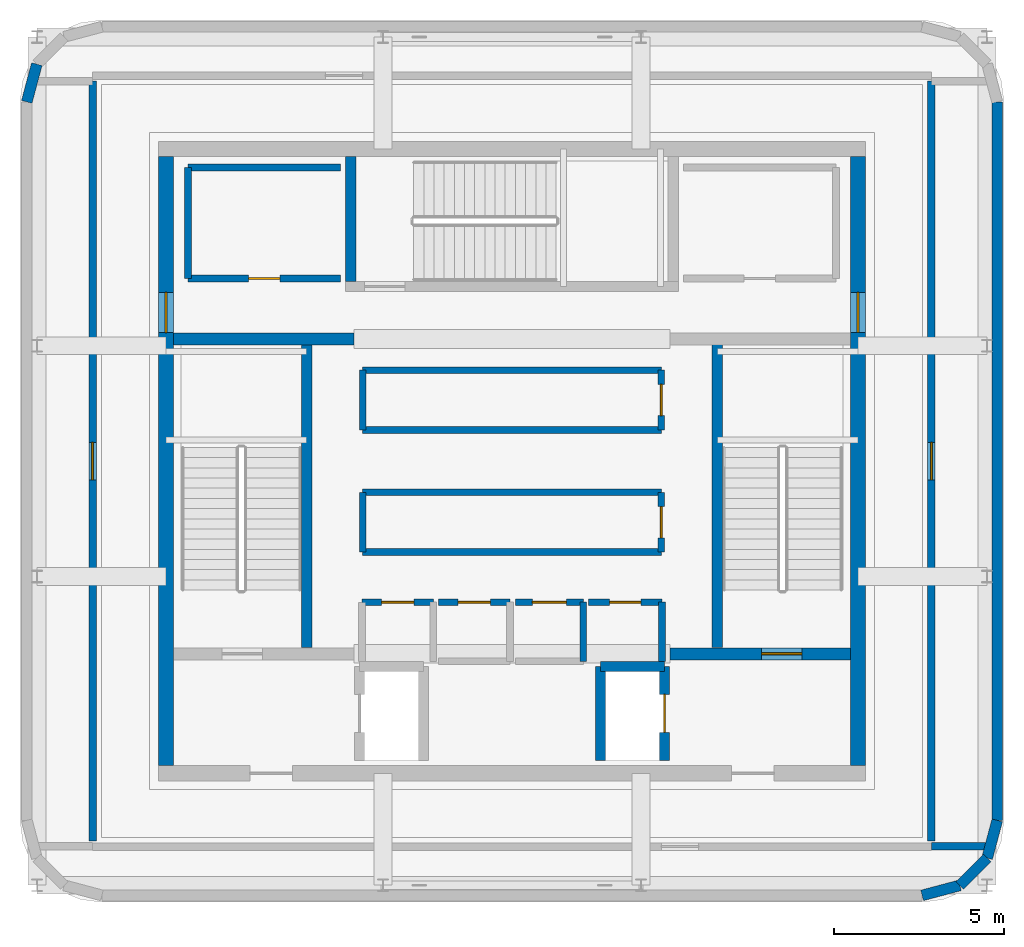
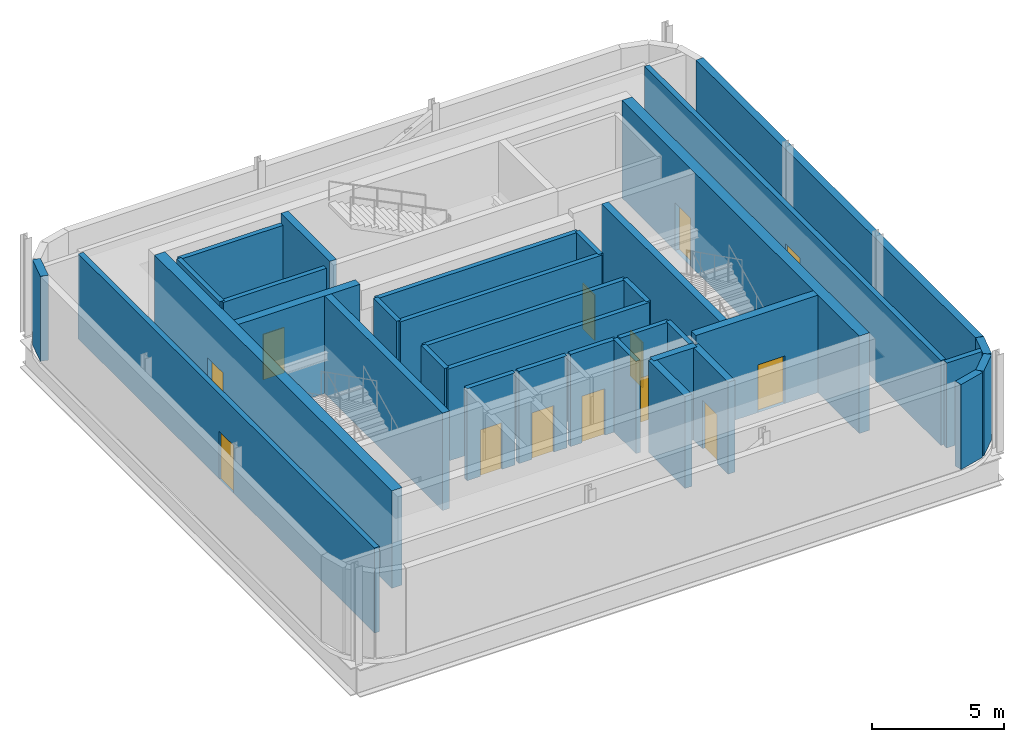
# One storey, part 2 of 4: 35 walls, 13 doors, 13 openings.
"""IFC4 building model written with IfcOpenShell, lengths in metres."""

from ifc_helpers import new_model, si_unit, direction, frame, frame_2d, origin, place, context, subcontext, project, spatial, rectangle, extrude, material, layer, layer_set, type_object, element, fill, save


model = new_model("IFC4")

# Units and contexts
model_context = context("Model", 3, precision=1e-05, world=origin(), true_north=direction((0.0, 1.0)))
body_context = subcontext(model_context, "Body", "Model", "MODEL_VIEW")
ifc_project = project(units=[si_unit("LENGTHUNIT", "METRE"), si_unit("AREAUNIT", "SQUARE_METRE"), si_unit("VOLUMEUNIT", "CUBIC_METRE"), si_unit("PLANEANGLEUNIT", "RADIAN"), si_unit("MASSUNIT", "GRAM", prefix="KILO")], contexts=[model_context])

# Site, building, storey
site_placement = place(None, origin())
site = spatial("IfcSite", under=ifc_project, at=site_placement, CompositionType="ELEMENT")
building_placement = place(site_placement, origin())
building = spatial("IfcBuilding", under=site, at=building_placement, Name="Punatoya Terracotta Tower", CompositionType="ELEMENT")
storey_placement = place(building_placement, frame((0.0, 0.0, 366.300048828125)))
storey = spatial("IfcBuildingStorey", under=building, at=storey_placement, Name="L86", CompositionType="ELEMENT", Elevation=366.300048828125)

# Wall, opening, door
ifc_material_1 = material(Name="Concrete C50/60", Category="concrete")
ifc_layer_1 = layer(ifc_material_1, 0.449951171875)
ifc_layer_set_1 = layer_set([ifc_layer_1], Name="Concrete C50/60")
wall_type_1 = type_object("IfcWallType", Name="WL-COR-450", PredefinedType="SHEAR", material=ifc_layer_set_1)
wall_1_placement = place(storey_placement, frame((-10.199951171875, -8.97509765625, 0.0), z_axis=(0.0, 0.0, 1.0), x_axis=(0.0, 1.0, 0.0)))
wall_1 = element("IfcWall", 1, at=wall_1_placement, inside=storey, type_object=wall_type_1, Name="L86 Core Shear Wall W", PredefinedType="SHEAR", context=body_context, shape_type="SweptSolid", body=[
    extrude(rectangle(XDim=17.9501953125, YDim=0.449951171875, at=frame_2d((8.97509765625, 0.0))), origin(), (0.0, 0.0, 1.0), 4.5),
])
opening_1_placement = place(wall_1_placement, frame((12.764892578125, 0.0, 0.0)))
opening_1 = element("IfcOpeningElement", 2, at=opening_1_placement, cuts=wall_1, Name="Opening SD-01", PredefinedType="OPENING", context=body_context, shape_type="SweptSolid", body=[
    extrude(rectangle(XDim=1.179931640625, YDim=2.199951171875, at=frame_2d((0.58984375, 1.10009765625))), frame((0.0, 0.23486328125, 0.0), z_axis=(0.0, -1.0, 0.0), x_axis=(1.0, 0.0, 0.0)), (0.0, 0.0, 1.0), 0.469970703125),
])
ifc_material_2 = material(Name="Galvanised Steel Pressurized Stair Fire Door", Category="steel")
door_type_1 = type_object("IfcDoorType", Name="DR-STR-1180", OperationType="NOTDEFINED", PredefinedType="DOOR", material=ifc_material_2)
door_1_placement = place(opening_1_placement, origin())
door_1 = element("IfcDoor", 3, at=door_1_placement, inside=storey, type_object=door_type_1, Name="L86 Central Lift Lobby West Fire Door", OperationType="SINGLE_SWING_LEFT", OverallHeight=2.199951171875, OverallWidth=1.179931640625, PredefinedType="DOOR", context=body_context, shape_type="SweptSolid", body=[
    extrude(rectangle(XDim=1.179931640625, YDim=2.199951171875, at=frame_2d((0.58984375, 1.10009765625))), frame((0.0, 0.02490234375, 0.0), z_axis=(0.0, -1.0, 0.0), x_axis=(1.0, 0.0, 0.0)), (0.0, 0.0, 1.0), 0.050048828125),
])
fill(opening_1, door_1)

wall_2_placement = place(storey_placement, frame((10.199951171875, 8.97509765625, 0.0), z_axis=(0.0, 0.0, 1.0), x_axis=(0.0, -1.0, 0.0)))
wall_2 = element("IfcWall", 4, at=wall_2_placement, inside=storey, type_object=wall_type_1, Name="L86 Core Shear Wall E", PredefinedType="SHEAR", context=body_context, shape_type="SweptSolid", body=[
    extrude(rectangle(XDim=17.9501953125, YDim=0.449951171875, at=frame_2d((8.97509765625, 0.0))), origin(), (0.0, 0.0, 1.0), 4.5),
])
opening_2_placement = place(wall_2_placement, frame((4.0048828125, 0.0, 0.0)))
opening_2 = element("IfcOpeningElement", 5, at=opening_2_placement, cuts=wall_2, Name="Opening SD-01", PredefinedType="OPENING", context=body_context, shape_type="SweptSolid", body=[
    extrude(rectangle(XDim=1.179931640625, YDim=2.199951171875, at=frame_2d((0.58984375, 1.10009765625))), frame((0.0, 0.23486328125, 0.0), z_axis=(0.0, -1.0, 0.0), x_axis=(1.0, 0.0, 0.0)), (0.0, 0.0, 1.0), 0.469970703125),
])
door_2_placement = place(opening_2_placement, origin())
door_2 = element("IfcDoor", 6, at=door_2_placement, inside=storey, type_object=door_type_1, Name="L86 Central Lift Lobby East Fire Door", OperationType="SINGLE_SWING_RIGHT", OverallHeight=2.199951171875, OverallWidth=1.179931640625, PredefinedType="DOOR", context=body_context, shape_type="SweptSolid", body=[
    extrude(rectangle(XDim=1.179931640625, YDim=2.199951171875, at=frame_2d((0.58984375, 1.10009765625))), frame((0.0, 0.02490234375, 0.0), z_axis=(0.0, -1.0, 0.0), x_axis=(1.0, 0.0, 0.0)), (0.0, 0.0, 1.0), 0.050048828125),
])
fill(opening_2, door_2)

# Walls
ifc_material_3 = material(Name="Precast concrete C40/50", Category="concrete")
ifc_layer_2 = layer(ifc_material_3, 0.320068359375)
ifc_layer_set_2 = layer_set([ifc_layer_2], Name="Precast concrete C40/50")
wall_type_2 = type_object("IfcWallType", Name="WL-EXT-320", PredefinedType="SOLIDWALL", material=ifc_layer_set_2)
wall_3_placement = place(storey_placement, frame((12.0869140625, -12.800048828125, 0.0), z_axis=(0.0, 0.0, 1.0), x_axis=(0.966336954372, 0.25727979053, 0.0)))
element("IfcWall", 7, at=wall_3_placement, inside=storey, type_object=wall_type_2, Name="L86 Rounded Terracotta Corner Pier 02", PredefinedType="SOLIDWALL", context=body_context, shape_type="SweptSolid", body=[
    extrude(rectangle(XDim=1.151123046875, YDim=0.320068359375, at=frame_2d((0.57568359375, 0.0))), origin(), (0.0, 0.0, 1.0), 3.924072265625),
])
wall_4_placement = place(storey_placement, frame((13.19921875, -12.50390625, 0.0), z_axis=(0.0, 0.0, 1.0), x_axis=(0.707106781187, 0.707106781187, 0.0)))
element("IfcWall", 8, at=wall_4_placement, inside=storey, type_object=wall_type_2, Name="L86 Rounded Terracotta Corner Pier 03", PredefinedType="SOLIDWALL", context=body_context, shape_type="SweptSolid", body=[
    extrude(rectangle(XDim=1.137939453125, YDim=0.320068359375, at=frame_2d((0.56884765625, 0.0))), origin(), (0.0, 0.0, 1.0), 3.924072265625),
])
wall_5_placement = place(storey_placement, frame((14.00390625, -11.69921875, 0.0), z_axis=(0.0, 0.0, 1.0), x_axis=(0.25727979053, 0.966336954372, 0.0)))
element("IfcWall", 9, at=wall_5_placement, inside=storey, type_object=wall_type_2, Name="L86 Rounded Terracotta Corner Pier 04", PredefinedType="SOLIDWALL", context=body_context, shape_type="SweptSolid", body=[
    extrude(rectangle(XDim=1.151123046875, YDim=0.320068359375, at=frame_2d((0.57568359375, 0.0))), origin(), (0.0, 0.0, 1.0), 3.924072265625),
])
wall_6_placement = place(storey_placement, frame((14.300048828125, -10.5869140625, 0.0), z_axis=(0.0, 0.0, 1.0), x_axis=(0.0, 1.0, 0.0)))
element("IfcWall", 10, at=wall_6_placement, inside=storey, type_object=wall_type_2, Name="L86 Terracotta Louvre Plant Enclosure E", PredefinedType="SOLIDWALL", context=body_context, shape_type="SweptSolid", body=[
    extrude(rectangle(XDim=21.173828125, YDim=0.320068359375, at=frame_2d((10.5869140625, 0.0))), origin(), (0.0, 0.0, 1.0), 3.924072265625),
])
wall_7_placement = place(storey_placement, frame((-14.00390625, 11.69921875, 0.0), z_axis=(0.0, 0.0, 1.0), x_axis=(-0.25727979053, -0.966336954372, 0.0)))
element("IfcWall", 11, at=wall_7_placement, inside=storey, type_object=wall_type_2, Name="L86 Rounded Terracotta Corner Pier 12", PredefinedType="SOLIDWALL", context=body_context, shape_type="SweptSolid", body=[
    extrude(rectangle(XDim=1.151123046875, YDim=0.320068359375, at=frame_2d((0.57568359375, 0.0))), origin(), (0.0, 0.0, 1.0), 3.924072265625),
])
ifc_material_4 = material(Name="Concrete C40/50", Category="concrete")
ifc_layer_3 = layer(ifc_material_4, 0.219970703125)
ifc_layer_set_3 = layer_set([ifc_layer_3], Name="Concrete C40/50")
wall_type_3 = type_object("IfcWallType", Name="WL-FIR-220", PredefinedType="SOLIDWALL", material=ifc_layer_set_3)
wall_8_placement = place(storey_placement, frame((12.360107421875, -11.35009765625, 0.0), z_axis=(0.0, 0.0, 1.0), x_axis=(1.0, 0.0, 0.0)))
element("IfcWall", 12, at=wall_8_placement, inside=storey, type_object=wall_type_3, Name="L86 Crown South Heat-Rejection and Cooling-Tower Plant Partition 28", PredefinedType="SOLIDWALL", context=body_context, shape_type="SweptSolid", body=[
    extrude(rectangle(XDim=1.7666015625, YDim=0.219970703125, at=frame_2d((0.88330078125, 0.0))), origin(), (0.0, 0.0, 1.0), 3.924072265625),
])

# Wall, opening, door
wall_9_placement = place(storey_placement, frame((-12.360107421875, 11.199951171875, 0.0), z_axis=(0.0, 0.0, 1.0), x_axis=(0.0, -1.0, 0.0)))
wall_9 = element("IfcWall", 13, at=wall_9_placement, inside=storey, type_object=wall_type_3, Name="L86 Crown West Smoke-Extract and Fan Plant Room Partition 30", PredefinedType="SOLIDWALL", context=body_context, shape_type="SweptSolid", body=[
    extrude(rectangle(XDim=22.39990234375, YDim=0.219970703125, at=frame_2d((11.199951171875, 0.0))), origin(), (0.0, 0.0, 1.0), 3.924072265625),
])
opening_3_placement = place(wall_9_placement, frame((10.64990234375, 0.0, 0.0)))
opening_3 = element("IfcOpeningElement", 14, at=opening_3_placement, cuts=wall_9, Name="Opening FD-P1", PredefinedType="OPENING", context=body_context, shape_type="SweptSolid", body=[
    extrude(rectangle(XDim=1.10009765625, YDim=2.199951171875, at=frame_2d((0.550048828125, 1.10009765625))), frame((0.0, 0.119873046875, 0.0), z_axis=(0.0, -1.0, 0.0), x_axis=(1.0, 0.0, 0.0)), (0.0, 0.0, 1.0), 0.239990234375),
])
ifc_material_5 = material(Name="Galvanised Steel Plant Fire Door", Category="steel")
door_type_2 = type_object("IfcDoorType", Name="DR-PLT-1100", OperationType="NOTDEFINED", PredefinedType="DOOR", material=ifc_material_5)
door_3_placement = place(opening_3_placement, origin())
door_3 = element("IfcDoor", 15, at=door_3_placement, inside=storey, type_object=door_type_2, Name="L86 Crown West Smoke-Extract and Fan Plant Room Fire Door", OperationType="SINGLE_SWING_RIGHT", OverallHeight=2.199951171875, OverallWidth=1.10009765625, PredefinedType="DOOR", context=body_context, shape_type="SweptSolid", body=[
    extrude(rectangle(XDim=1.10009765625, YDim=2.199951171875, at=frame_2d((0.550048828125, 1.10009765625))), frame((0.0, 0.02490234375, 0.0), z_axis=(0.0, -1.0, 0.0), x_axis=(1.0, 0.0, 0.0)), (0.0, 0.0, 1.0), 0.050048828125),
])
fill(opening_3, door_3)

wall_10_placement = place(storey_placement, frame((12.360107421875, -11.199951171875, 0.0), z_axis=(0.0, 0.0, 1.0), x_axis=(0.0, 1.0, 0.0)))
wall_10 = element("IfcWall", 16, at=wall_10_placement, inside=storey, type_object=wall_type_3, Name="L86 Crown East Lift Machine and BMS Control Plant Partition 31", PredefinedType="SOLIDWALL", context=body_context, shape_type="SweptSolid", body=[
    extrude(rectangle(XDim=22.39990234375, YDim=0.219970703125, at=frame_2d((11.199951171875, 0.0))), origin(), (0.0, 0.0, 1.0), 3.924072265625),
])
opening_4_placement = place(wall_10_placement, frame((10.64990234375, 0.0, 0.0)))
opening_4 = element("IfcOpeningElement", 17, at=opening_4_placement, cuts=wall_10, Name="Opening FD-P1", PredefinedType="OPENING", context=body_context, shape_type="SweptSolid", body=[
    extrude(rectangle(XDim=1.10009765625, YDim=2.199951171875, at=frame_2d((0.550048828125, 1.10009765625))), frame((0.0, 0.119873046875, 0.0), z_axis=(0.0, -1.0, 0.0), x_axis=(1.0, 0.0, 0.0)), (0.0, 0.0, 1.0), 0.239990234375),
])
door_4_placement = place(opening_4_placement, origin())
door_4 = element("IfcDoor", 18, at=door_4_placement, inside=storey, type_object=door_type_2, Name="L86 Crown East Lift Machine and BMS Control Plant Fire Door", OperationType="SINGLE_SWING_LEFT", OverallHeight=2.199951171875, OverallWidth=1.10009765625, PredefinedType="DOOR", context=body_context, shape_type="SweptSolid", body=[
    extrude(rectangle(XDim=1.10009765625, YDim=2.199951171875, at=frame_2d((0.550048828125, 1.10009765625))), frame((0.0, 0.02490234375, 0.0), z_axis=(0.0, -1.0, 0.0), x_axis=(1.0, 0.0, 0.0)), (0.0, 0.0, 1.0), 0.050048828125),
])
fill(opening_4, door_4)

ifc_layer_4 = layer(ifc_material_4, 0.199951171875)
ifc_layer_set_4 = layer_set([ifc_layer_4], Name="Concrete C40/50")
wall_type_4 = type_object("IfcWallType", Name="WL-INT-200", PredefinedType="SOLIDWALL", material=ifc_layer_set_4)
wall_11_placement = place(storey_placement, frame((-2.320068359375, -4.159912109375, 0.0), z_axis=(0.0, 0.0, 1.0), x_axis=(-1.0, 0.0, 0.0)))
wall_11 = element("IfcWall", 19, at=wall_11_placement, inside=storey, type_object=wall_type_4, Name="L86 Staff Male Washroom Partition 02", PredefinedType="SOLIDWALL", context=body_context, shape_type="SweptSolid", body=[
    extrude(rectangle(XDim=2.099853515625, YDim=0.199951171875, at=frame_2d((1.0498046875, 0.0))), origin(), (0.0, 0.0, 1.0), 4.25),
])
opening_5_placement = place(wall_11_placement, frame((0.574951171875, 0.0, 0.0)))
opening_5 = element("IfcOpeningElement", 20, at=opening_5_placement, cuts=wall_11, Name="Opening WD-01", PredefinedType="OPENING", context=body_context, shape_type="SweptSolid", body=[
    extrude(rectangle(XDim=0.949951171875, YDim=2.14990234375, at=frame_2d((0.47509765625, 1.074951171875))), frame((0.0, 0.10986328125, 0.0), z_axis=(0.0, -1.0, 0.0), x_axis=(1.0, 0.0, 0.0)), (0.0, 0.0, 1.0), 0.219970703125),
])
ifc_material_6 = material(Name="Moisture-Resistant Laminate Timber Leaf", Category="wood")
door_type_3 = type_object("IfcDoorType", Name="DR-WC-950", OperationType="NOTDEFINED", PredefinedType="DOOR", material=ifc_material_6)
door_5_placement = place(opening_5_placement, origin())
door_5 = element("IfcDoor", 21, at=door_5_placement, inside=storey, type_object=door_type_3, Name="L86 Staff Male Washroom Door", OperationType="SINGLE_SWING_LEFT", OverallHeight=2.14990234375, OverallWidth=0.949951171875, PredefinedType="DOOR", context=body_context, shape_type="SweptSolid", body=[
    extrude(rectangle(XDim=0.949951171875, YDim=2.14990234375, at=frame_2d((0.47509765625, 1.074951171875))), frame((0.0, 0.02490234375, 0.0), z_axis=(0.0, -1.0, 0.0), x_axis=(1.0, 0.0, 0.0)), (0.0, 0.0, 1.0), 0.050048828125),
])
fill(opening_5, door_5)

wall_12_placement = place(storey_placement, frame((-0.06005859375, -4.159912109375, 0.0), z_axis=(0.0, 0.0, 1.0), x_axis=(-1.0, 0.0, 0.0)))
wall_12 = element("IfcWall", 22, at=wall_12_placement, inside=storey, type_object=wall_type_4, Name="L86 Staff Female Washroom Partition 05", PredefinedType="SOLIDWALL", context=body_context, shape_type="SweptSolid", body=[
    extrude(rectangle(XDim=2.099853515625, YDim=0.199951171875, at=frame_2d((1.0498046875, 0.0))), origin(), (0.0, 0.0, 1.0), 4.25),
])
opening_6_placement = place(wall_12_placement, frame((0.574951171875, 0.0, 0.0)))
opening_6 = element("IfcOpeningElement", 23, at=opening_6_placement, cuts=wall_12, Name="Opening WD-01", PredefinedType="OPENING", context=body_context, shape_type="SweptSolid", body=[
    extrude(rectangle(XDim=0.949951171875, YDim=2.14990234375, at=frame_2d((0.47509765625, 1.074951171875))), frame((0.0, 0.10986328125, 0.0), z_axis=(0.0, -1.0, 0.0), x_axis=(1.0, 0.0, 0.0)), (0.0, 0.0, 1.0), 0.219970703125),
])
door_6_placement = place(opening_6_placement, origin())
door_6 = element("IfcDoor", 24, at=door_6_placement, inside=storey, type_object=door_type_3, Name="L86 Staff Female Washroom Door", OperationType="SINGLE_SWING_RIGHT", OverallHeight=2.14990234375, OverallWidth=0.949951171875, PredefinedType="DOOR", context=body_context, shape_type="SweptSolid", body=[
    extrude(rectangle(XDim=0.949951171875, YDim=2.14990234375, at=frame_2d((0.47509765625, 1.074951171875))), frame((0.0, 0.02490234375, 0.0), z_axis=(0.0, -1.0, 0.0), x_axis=(1.0, 0.0, 0.0)), (0.0, 0.0, 1.0), 0.050048828125),
])
fill(opening_6, door_6)

# Wall
wall_13_placement = place(storey_placement, frame((2.10009765625, -5.89990234375, 0.0), z_axis=(0.0, 0.0, 1.0), x_axis=(0.0, 1.0, 0.0)))
element("IfcWall", 25, at=wall_13_placement, inside=storey, type_object=wall_type_4, Name="L86 Accessible Universal Washroom Partition 07", PredefinedType="SOLIDWALL", context=body_context, shape_type="SweptSolid", body=[
    extrude(rectangle(XDim=1.739990234375, YDim=0.199951171875, at=frame_2d((0.8701171875, 0.0))), origin(), (0.0, 0.0, 1.0), 4.25),
])

# Wall, opening, door
wall_14_placement = place(storey_placement, frame((2.10009765625, -4.159912109375, 0.0), z_axis=(0.0, 0.0, 1.0), x_axis=(-1.0, 0.0, 0.0)))
wall_14 = element("IfcWall", 26, at=wall_14_placement, inside=storey, type_object=wall_type_4, Name="L86 Accessible Universal Washroom Partition 08", PredefinedType="SOLIDWALL", context=body_context, shape_type="SweptSolid", body=[
    extrude(rectangle(XDim=2.0, YDim=0.199951171875, at=frame_2d((1.0, 0.0))), origin(), (0.0, 0.0, 1.0), 4.25),
])
opening_7_placement = place(wall_14_placement, frame((0.5, 0.0, 0.0)))
opening_7 = element("IfcOpeningElement", 27, at=opening_7_placement, cuts=wall_14, Name="Opening AWD-1", PredefinedType="OPENING", context=body_context, shape_type="SweptSolid", body=[
    extrude(rectangle(XDim=1.0, YDim=2.14990234375, at=frame_2d((0.5, 1.074951171875))), frame((0.0, 0.10986328125, 0.0), z_axis=(0.0, -1.0, 0.0), x_axis=(1.0, 0.0, 0.0)), (0.0, 0.0, 1.0), 0.219970703125),
])
ifc_material_7 = material(Name="Bengal Teak Accessible WC Leaf")
door_type_4 = type_object("IfcDoorType", Name="DR-ACC-1000", OperationType="NOTDEFINED", PredefinedType="DOOR", material=ifc_material_7)
door_7_placement = place(opening_7_placement, origin())
door_7 = element("IfcDoor", 28, at=door_7_placement, inside=storey, type_object=door_type_4, Name="L86 Accessible Universal Washroom Door", OperationType="SINGLE_SWING_LEFT", OverallHeight=2.14990234375, OverallWidth=1.0, PredefinedType="DOOR", context=body_context, shape_type="SweptSolid", body=[
    extrude(rectangle(XDim=1.0, YDim=2.14990234375, at=frame_2d((0.5, 1.074951171875))), frame((0.0, 0.02490234375, 0.0), z_axis=(0.0, -1.0, 0.0), x_axis=(1.0, 0.0, 0.0)), (0.0, 0.0, 1.0), 0.050048828125),
])
fill(opening_7, door_7)

# Wall
wall_15_placement = place(storey_placement, frame((4.419921875, -5.89990234375, 0.0), z_axis=(0.0, 0.0, 1.0), x_axis=(0.0, 1.0, 0.0)))
element("IfcWall", 29, at=wall_15_placement, inside=storey, type_object=wall_type_4, Name="L86 Core Electrical Switchgear Room Partition 10", PredefinedType="SOLIDWALL", context=body_context, shape_type="SweptSolid", body=[
    extrude(rectangle(XDim=1.739990234375, YDim=0.199951171875, at=frame_2d((0.8701171875, 0.0))), origin(), (0.0, 0.0, 1.0), 4.25),
])

# Wall, opening, door
wall_16_placement = place(storey_placement, frame((4.419921875, -4.159912109375, 0.0), z_axis=(0.0, 0.0, 1.0), x_axis=(-1.0, 0.0, 0.0)))
wall_16 = element("IfcWall", 30, at=wall_16_placement, inside=storey, type_object=wall_type_4, Name="L86 Core Electrical Switchgear Room Partition 11", PredefinedType="SOLIDWALL", context=body_context, shape_type="SweptSolid", body=[
    extrude(rectangle(XDim=2.159912109375, YDim=0.199951171875, at=frame_2d((1.080078125, 0.0))), origin(), (0.0, 0.0, 1.0), 4.25),
])
opening_8_placement = place(wall_16_placement, frame((0.6201171875, 0.0, 0.0)))
opening_8 = element("IfcOpeningElement", 31, at=opening_8_placement, cuts=wall_16, Name="Opening FD-R1", PredefinedType="OPENING", context=body_context, shape_type="SweptSolid", body=[
    extrude(rectangle(XDim=0.919921875, YDim=2.10009765625, at=frame_2d((0.4599609375, 1.050048828125))), frame((0.0, 0.10986328125, 0.0), z_axis=(0.0, -1.0, 0.0), x_axis=(1.0, 0.0, 0.0)), (0.0, 0.0, 1.0), 0.219970703125),
])
ifc_material_8 = material(Name="Galvanised Steel Riser Fire Access Door", Category="steel")
door_type_5 = type_object("IfcDoorType", Name="DR-RSR-920", OperationType="NOTDEFINED", PredefinedType="DOOR", material=ifc_material_8)
door_8_placement = place(opening_8_placement, origin())
door_8 = element("IfcDoor", 32, at=door_8_placement, inside=storey, type_object=door_type_5, Name="L86 Core Electrical Switchgear Room Fire Door", OperationType="SINGLE_SWING_RIGHT", OverallHeight=2.10009765625, OverallWidth=0.919921875, PredefinedType="DOOR", context=body_context, shape_type="SweptSolid", body=[
    extrude(rectangle(XDim=0.919921875, YDim=2.10009765625, at=frame_2d((0.4599609375, 1.050048828125))), frame((0.0, 0.02490234375, 0.0), z_axis=(0.0, -1.0, 0.0), x_axis=(1.0, 0.0, 0.0)), (0.0, 0.0, 1.0), 0.050048828125),
])
fill(opening_8, door_8)

wall_17_placement = place(storey_placement, frame((4.39990234375, -2.679931640625, 0.0), z_axis=(0.0, 0.0, 1.0), x_axis=(0.0, 1.0, 0.0)))
wall_17 = element("IfcWall", 33, at=wall_17_placement, inside=storey, type_object=wall_type_4, Name="L86 Crown Emergency Power Switchroom Partition 12", PredefinedType="SOLIDWALL", context=body_context, shape_type="SweptSolid", body=[
    extrude(rectangle(XDim=1.760009765625, YDim=0.199951171875, at=frame_2d((0.8798828125, 0.0))), origin(), (0.0, 0.0, 1.0), 4.25),
])
opening_9_placement = place(wall_17_placement, frame((0.419921875, 0.0, 0.0)))
opening_9 = element("IfcOpeningElement", 34, at=opening_9_placement, cuts=wall_17, Name="Opening FD-R1", PredefinedType="OPENING", context=body_context, shape_type="SweptSolid", body=[
    extrude(rectangle(XDim=0.919921875, YDim=2.10009765625, at=frame_2d((0.4599609375, 1.050048828125))), frame((0.0, 0.10986328125, 0.0), z_axis=(0.0, -1.0, 0.0), x_axis=(1.0, 0.0, 0.0)), (0.0, 0.0, 1.0), 0.219970703125),
])
door_9_placement = place(opening_9_placement, origin())
door_9 = element("IfcDoor", 35, at=door_9_placement, inside=storey, type_object=door_type_5, Name="L86 Crown Emergency Power Switchroom Fire Door", OperationType="SINGLE_SWING_LEFT", OverallHeight=2.10009765625, OverallWidth=0.919921875, PredefinedType="DOOR", context=body_context, shape_type="SweptSolid", body=[
    extrude(rectangle(XDim=0.919921875, YDim=2.10009765625, at=frame_2d((0.4599609375, 1.050048828125))), frame((0.0, 0.02490234375, 0.0), z_axis=(0.0, -1.0, 0.0), x_axis=(1.0, 0.0, 0.0)), (0.0, 0.0, 1.0), 0.050048828125),
])
fill(opening_9, door_9)

# Walls
wall_18_placement = place(storey_placement, frame((4.39990234375, -0.919921875, 0.0), z_axis=(0.0, 0.0, 1.0), x_axis=(-1.0, 0.0, 0.0)))
element("IfcWall", 36, at=wall_18_placement, inside=storey, type_object=wall_type_4, Name="L86 Crown Emergency Power Switchroom Partition 13", PredefinedType="SOLIDWALL", context=body_context, shape_type="SweptSolid", body=[
    extrude(rectangle(XDim=8.7998046875, YDim=0.199951171875, at=frame_2d((4.39990234375, 0.0))), origin(), (0.0, 0.0, 1.0), 4.25),
])
wall_19_placement = place(storey_placement, frame((-4.39990234375, -0.919921875, 0.0), z_axis=(0.0, 0.0, 1.0), x_axis=(0.0, -1.0, 0.0)))
element("IfcWall", 37, at=wall_19_placement, inside=storey, type_object=wall_type_4, Name="L86 Crown Emergency Power Switchroom Partition 14", PredefinedType="SOLIDWALL", context=body_context, shape_type="SweptSolid", body=[
    extrude(rectangle(XDim=1.760009765625, YDim=0.199951171875, at=frame_2d((0.8798828125, 0.0))), origin(), (0.0, 0.0, 1.0), 4.25),
])
wall_20_placement = place(storey_placement, frame((-4.39990234375, -2.679931640625, 0.0), z_axis=(0.0, 0.0, 1.0), x_axis=(1.0, 0.0, 0.0)))
element("IfcWall", 38, at=wall_20_placement, inside=storey, type_object=wall_type_4, Name="L86 Crown Emergency Power Switchroom Partition 15", PredefinedType="SOLIDWALL", context=body_context, shape_type="SweptSolid", body=[
    extrude(rectangle(XDim=8.7998046875, YDim=0.199951171875, at=frame_2d((4.39990234375, 0.0))), origin(), (0.0, 0.0, 1.0), 4.25),
])

# Wall, opening, door
wall_21_placement = place(storey_placement, frame((4.39990234375, 0.919921875, 0.0), z_axis=(0.0, 0.0, 1.0), x_axis=(0.0, 1.0, 0.0)))
wall_21 = element("IfcWall", 39, at=wall_21_placement, inside=storey, type_object=wall_type_4, Name="L86 Crown Stair Pressurization Fan Room Partition 16", PredefinedType="SOLIDWALL", context=body_context, shape_type="SweptSolid", body=[
    extrude(rectangle(XDim=1.760009765625, YDim=0.199951171875, at=frame_2d((0.8798828125, 0.0))), origin(), (0.0, 0.0, 1.0), 4.25),
])
opening_10_placement = place(wall_21_placement, frame((0.419921875, 0.0, 0.0)))
opening_10 = element("IfcOpeningElement", 40, at=opening_10_placement, cuts=wall_21, Name="Opening FD-R1", PredefinedType="OPENING", context=body_context, shape_type="SweptSolid", body=[
    extrude(rectangle(XDim=0.919921875, YDim=2.10009765625, at=frame_2d((0.4599609375, 1.050048828125))), frame((0.0, 0.10986328125, 0.0), z_axis=(0.0, -1.0, 0.0), x_axis=(1.0, 0.0, 0.0)), (0.0, 0.0, 1.0), 0.219970703125),
])
door_10_placement = place(opening_10_placement, origin())
door_10 = element("IfcDoor", 41, at=door_10_placement, inside=storey, type_object=door_type_5, Name="L86 Crown Stair Pressurization Fan Room Fire Door", OperationType="SINGLE_SWING_RIGHT", OverallHeight=2.10009765625, OverallWidth=0.919921875, PredefinedType="DOOR", context=body_context, shape_type="SweptSolid", body=[
    extrude(rectangle(XDim=0.919921875, YDim=2.10009765625, at=frame_2d((0.4599609375, 1.050048828125))), frame((0.0, 0.02490234375, 0.0), z_axis=(0.0, -1.0, 0.0), x_axis=(1.0, 0.0, 0.0)), (0.0, 0.0, 1.0), 0.050048828125),
])
fill(opening_10, door_10)

# Walls
wall_22_placement = place(storey_placement, frame((4.39990234375, 2.679931640625, 0.0), z_axis=(0.0, 0.0, 1.0), x_axis=(-1.0, 0.0, 0.0)))
element("IfcWall", 42, at=wall_22_placement, inside=storey, type_object=wall_type_4, Name="L86 Crown Stair Pressurization Fan Room Partition 17", PredefinedType="SOLIDWALL", context=body_context, shape_type="SweptSolid", body=[
    extrude(rectangle(XDim=8.7998046875, YDim=0.199951171875, at=frame_2d((4.39990234375, 0.0))), origin(), (0.0, 0.0, 1.0), 4.25),
])
wall_23_placement = place(storey_placement, frame((-4.39990234375, 2.679931640625, 0.0), z_axis=(0.0, 0.0, 1.0), x_axis=(0.0, -1.0, 0.0)))
element("IfcWall", 43, at=wall_23_placement, inside=storey, type_object=wall_type_4, Name="L86 Crown Stair Pressurization Fan Room Partition 18", PredefinedType="SOLIDWALL", context=body_context, shape_type="SweptSolid", body=[
    extrude(rectangle(XDim=1.760009765625, YDim=0.199951171875, at=frame_2d((0.8798828125, 0.0))), origin(), (0.0, 0.0, 1.0), 4.25),
])
wall_24_placement = place(storey_placement, frame((-4.39990234375, 0.919921875, 0.0), z_axis=(0.0, 0.0, 1.0), x_axis=(1.0, 0.0, 0.0)))
element("IfcWall", 44, at=wall_24_placement, inside=storey, type_object=wall_type_4, Name="L86 Crown Stair Pressurization Fan Room Partition 19", PredefinedType="SOLIDWALL", context=body_context, shape_type="SweptSolid", body=[
    extrude(rectangle(XDim=8.7998046875, YDim=0.199951171875, at=frame_2d((4.39990234375, 0.0))), origin(), (0.0, 0.0, 1.0), 4.25),
])
wall_25_placement = place(storey_placement, frame((-5.050048828125, 8.64990234375, 0.0), z_axis=(0.0, 0.0, 1.0), x_axis=(-1.0, 0.0, 0.0)))
element("IfcWall", 45, at=wall_25_placement, inside=storey, type_object=wall_type_4, Name="L86 West Duct Riser Partition 20", PredefinedType="SOLIDWALL", context=body_context, shape_type="SweptSolid", body=[
    extrude(rectangle(XDim=4.5, YDim=0.199951171875, at=frame_2d((2.25, 0.0))), origin(), (0.0, 0.0, 1.0), 4.25),
])
wall_26_placement = place(storey_placement, frame((-9.550048828125, 8.64990234375, 0.0), z_axis=(0.0, 0.0, 1.0), x_axis=(0.0, -1.0, 0.0)))
element("IfcWall", 46, at=wall_26_placement, inside=storey, type_object=wall_type_4, Name="L86 West Duct Riser Partition 21", PredefinedType="SOLIDWALL", context=body_context, shape_type="SweptSolid", body=[
    extrude(rectangle(XDim=3.27001953125, YDim=0.199951171875, at=frame_2d((1.635009765625, 0.0))), origin(), (0.0, 0.0, 1.0), 4.25),
])

# Wall, opening, door
wall_27_placement = place(storey_placement, frame((-9.550048828125, 5.3798828125, 0.0), z_axis=(0.0, 0.0, 1.0), x_axis=(1.0, 0.0, 0.0)))
wall_27 = element("IfcWall", 47, at=wall_27_placement, inside=storey, type_object=wall_type_4, Name="L86 West Duct Riser Partition 22", PredefinedType="SOLIDWALL", context=body_context, shape_type="SweptSolid", body=[
    extrude(rectangle(XDim=4.5, YDim=0.199951171875, at=frame_2d((2.25, 0.0))), origin(), (0.0, 0.0, 1.0), 4.25),
])
opening_11_placement = place(wall_27_placement, frame((1.7900390625, 0.0, 0.0)))
opening_11 = element("IfcOpeningElement", 48, at=opening_11_placement, cuts=wall_27, Name="Opening FD-R1", PredefinedType="OPENING", context=body_context, shape_type="SweptSolid", body=[
    extrude(rectangle(XDim=0.919921875, YDim=2.10009765625, at=frame_2d((0.4599609375, 1.050048828125))), frame((0.0, 0.10986328125, 0.0), z_axis=(0.0, -1.0, 0.0), x_axis=(1.0, 0.0, 0.0)), (0.0, 0.0, 1.0), 0.219970703125),
])
door_11_placement = place(opening_11_placement, origin())
door_11 = element("IfcDoor", 49, at=door_11_placement, inside=storey, type_object=door_type_5, Name="L86 West Duct Riser Fire Door", OperationType="SINGLE_SWING_LEFT", OverallHeight=2.10009765625, OverallWidth=0.919921875, PredefinedType="DOOR", context=body_context, shape_type="SweptSolid", body=[
    extrude(rectangle(XDim=0.919921875, YDim=2.10009765625, at=frame_2d((0.4599609375, 1.050048828125))), frame((0.0, 0.02490234375, 0.0), z_axis=(0.0, -1.0, 0.0), x_axis=(1.0, 0.0, 0.0)), (0.0, 0.0, 1.0), 0.050048828125),
])
fill(opening_11, door_11)

# Walls
ifc_layer_5 = layer(ifc_material_4, 0.300048828125)
ifc_layer_set_5 = layer_set([ifc_layer_5], Name="Concrete C40/50")
wall_type_5 = type_object("IfcWallType", Name="WL-SHF-300", PredefinedType="SOLIDWALL", material=ifc_layer_set_5)
for number, where, z_axis, x_axis, name in (
    (50, (-6.050048828125, -5.5, 0.0), (0.0, 0.0, 1.0), (0.0, 1.0, 0.0), "L86 Structural Stair Shaft Wall SW-ST1-E"),
    (51, (6.050048828125, 3.449951171875, 0.0), (0.0, 0.0, 1.0), (0.0, -1.0, 0.0), "L86 Structural Stair Shaft Wall SW-ST2-W"),
):
    element("IfcWall", number, at=place(storey_placement, frame(where, z_axis=z_axis, x_axis=x_axis)), inside=storey, type_object=wall_type_5, Name=name, PredefinedType="SOLIDWALL", context=body_context, shape_type="SweptSolid", body=[
        extrude(rectangle(XDim=8.949951171875, YDim=0.300048828125, at=frame_2d((4.47509765625, 0.0))), origin(), (0.0, 0.0, 1.0), 4.5),
    ])
wall_28_placement = place(storey_placement, frame((-4.75, 5.300048828125, 0.0), z_axis=(0.0, 0.0, 1.0), x_axis=(0.0, 1.0, 0.0)))
element("IfcWall", 52, at=wall_28_placement, inside=storey, type_object=wall_type_5, Name="L86 Structural Stair Shaft Wall SW-ST3-W", PredefinedType="SOLIDWALL", context=body_context, shape_type="SweptSolid", body=[
    extrude(rectangle(XDim=3.675048828125, YDim=0.300048828125, at=frame_2d((1.83740234375, 0.0))), origin(), (0.0, 0.0, 1.0), 4.5),
])

# Wall, opening, door
wall_29_placement = place(storey_placement, frame((4.489990234375, -8.820068359375, 0.0), z_axis=(0.0, 0.0, 1.0), x_axis=(0.0, 1.0, 0.0)))
wall_29 = element("IfcWall", 53, at=wall_29_placement, inside=storey, type_object=wall_type_5, Name="L86 FFL-2 Front Hoistway Wall", PredefinedType="SOLIDWALL", context=body_context, shape_type="SweptSolid", body=[
    extrude(rectangle(XDim=2.77001953125, YDim=0.300048828125, at=frame_2d((1.385009765625, 0.0))), origin(), (0.0, 0.0, 1.0), 4.25),
])
opening_12_placement = place(wall_29_placement, frame((0.824951171875, 0.0, 0.0)))
opening_12 = element("IfcOpeningElement", 54, at=opening_12_placement, cuts=wall_29, Name="Opening LD-02", PredefinedType="OPENING", context=body_context, shape_type="SweptSolid", body=[
    extrude(rectangle(XDim=1.1201171875, YDim=2.25, at=frame_2d((0.56005859375, 1.125))), frame((0.0, 0.159912109375, 0.0), z_axis=(0.0, -1.0, 0.0), x_axis=(1.0, 0.0, 0.0)), (0.0, 0.0, 1.0), 0.320068359375),
])
ifc_material_9 = material(Name="Stainless Steel Lift Landing Door", Category="steel")
door_type_6 = type_object("IfcDoorType", Name="DR-LND-1120", OperationType="NOTDEFINED", PredefinedType="DOOR", material=ifc_material_9)
door_12_placement = place(opening_12_placement, origin())
door_12 = element("IfcDoor", 55, at=door_12_placement, inside=storey, type_object=door_type_6, Name="L86 Firefighting Lift FFL-2 Sliding Landing Door", OperationType="SLIDING_TO_RIGHT", OverallHeight=2.25, OverallWidth=1.1201171875, PredefinedType="DOOR", context=body_context, shape_type="SweptSolid", body=[
    extrude(rectangle(XDim=1.1201171875, YDim=2.25, at=frame_2d((0.56005859375, 1.125))), frame((0.0, 0.02490234375, 0.0), z_axis=(0.0, -1.0, 0.0), x_axis=(1.0, 0.0, 0.0)), (0.0, 0.0, 1.0), 0.050048828125),
])
fill(opening_12, door_12)

# Walls
wall_30_placement = place(storey_placement, frame((2.610107421875, -8.820068359375, 0.0), z_axis=(0.0, 0.0, 1.0), x_axis=(0.0, 1.0, 0.0)))
element("IfcWall", 56, at=wall_30_placement, inside=storey, type_object=wall_type_5, Name="L86 FFL-2 Rear Hoistway Wall", PredefinedType="SOLIDWALL", context=body_context, shape_type="SweptSolid", body=[
    extrude(rectangle(XDim=2.77001953125, YDim=0.300048828125, at=frame_2d((1.385009765625, 0.0))), origin(), (0.0, 0.0, 1.0), 4.25),
])
wall_31_placement = place(storey_placement, frame((2.610107421875, -6.050048828125, 0.0), z_axis=(0.0, 0.0, 1.0), x_axis=(1.0, 0.0, 0.0)))
element("IfcWall", 57, at=wall_31_placement, inside=storey, type_object=wall_type_5, Name="L86 FFL-2 North Hoistway Wall", PredefinedType="SOLIDWALL", context=body_context, shape_type="SweptSolid", body=[
    extrude(rectangle(XDim=1.8798828125, YDim=0.300048828125, at=frame_2d((0.93994140625, 0.0))), origin(), (0.0, 0.0, 1.0), 4.25),
])

# Wall, opening, door
ifc_layer_6 = layer(ifc_material_1, 0.35009765625)
ifc_layer_set_6 = layer_set([ifc_layer_6], Name="Concrete C50/60")
wall_type_6 = type_object("IfcWallType", Name="WL-SHF-350", PredefinedType="SOLIDWALL", material=ifc_layer_set_6)
wall_32_placement = place(storey_placement, frame((4.64990234375, -5.679931640625, 0.0), z_axis=(0.0, 0.0, 1.0), x_axis=(1.0, 0.0, 0.0)))
wall_32 = element("IfcWall", 58, at=wall_32_placement, inside=storey, type_object=wall_type_6, Name="L86 Core Web Wall CSW-R", PredefinedType="SOLIDWALL", context=body_context, shape_type="SweptSolid", body=[
    extrude(rectangle(XDim=5.3251953125, YDim=0.35009765625, at=frame_2d((2.66259765625, 0.0))), origin(), (0.0, 0.0, 1.0), 4.5),
])
opening_13_placement = place(wall_32_placement, frame((2.7099609375, 0.0, 0.0)))
opening_13 = element("IfcOpeningElement", 59, at=opening_13_placement, cuts=wall_32, Name="Opening SD-01", PredefinedType="OPENING", context=body_context, shape_type="SweptSolid", body=[
    extrude(rectangle(XDim=1.179931640625, YDim=2.199951171875, at=frame_2d((0.58984375, 1.10009765625))), frame((0.0, 0.18505859375, 0.0), z_axis=(0.0, -1.0, 0.0), x_axis=(1.0, 0.0, 0.0)), (0.0, 0.0, 1.0), 0.3701171875),
])
door_13_placement = place(opening_13_placement, origin())
door_13 = element("IfcDoor", 60, at=door_13_placement, inside=storey, type_object=door_type_1, Name="L86 Stair ST-2 Smokeproof Lobby Fire Door", OperationType="SINGLE_SWING_RIGHT", OverallHeight=2.199951171875, OverallWidth=1.179931640625, PredefinedType="DOOR", context=body_context, shape_type="SweptSolid", body=[
    extrude(rectangle(XDim=1.179931640625, YDim=2.199951171875, at=frame_2d((0.58984375, 1.10009765625))), frame((0.0, 0.02490234375, 0.0), z_axis=(0.0, -1.0, 0.0), x_axis=(1.0, 0.0, 0.0)), (0.0, 0.0, 1.0), 0.050048828125),
])
fill(opening_13, door_13)

# Wall
wall_33_placement = place(storey_placement, frame((-9.97509765625, 3.60009765625, 0.0), z_axis=(0.0, 0.0, 1.0), x_axis=(1.0, 0.0, 0.0)))
element("IfcWall", 61, at=wall_33_placement, inside=storey, type_object=wall_type_6, Name="L86 Core Web Wall CNW-L", PredefinedType="SOLIDWALL", context=body_context, shape_type="SweptSolid", body=[
    extrude(rectangle(XDim=5.3251953125, YDim=0.35009765625, at=frame_2d((2.66259765625, 0.0))), origin(), (0.0, 0.0, 1.0), 4.5),
])

save(model, "model.ifc")
